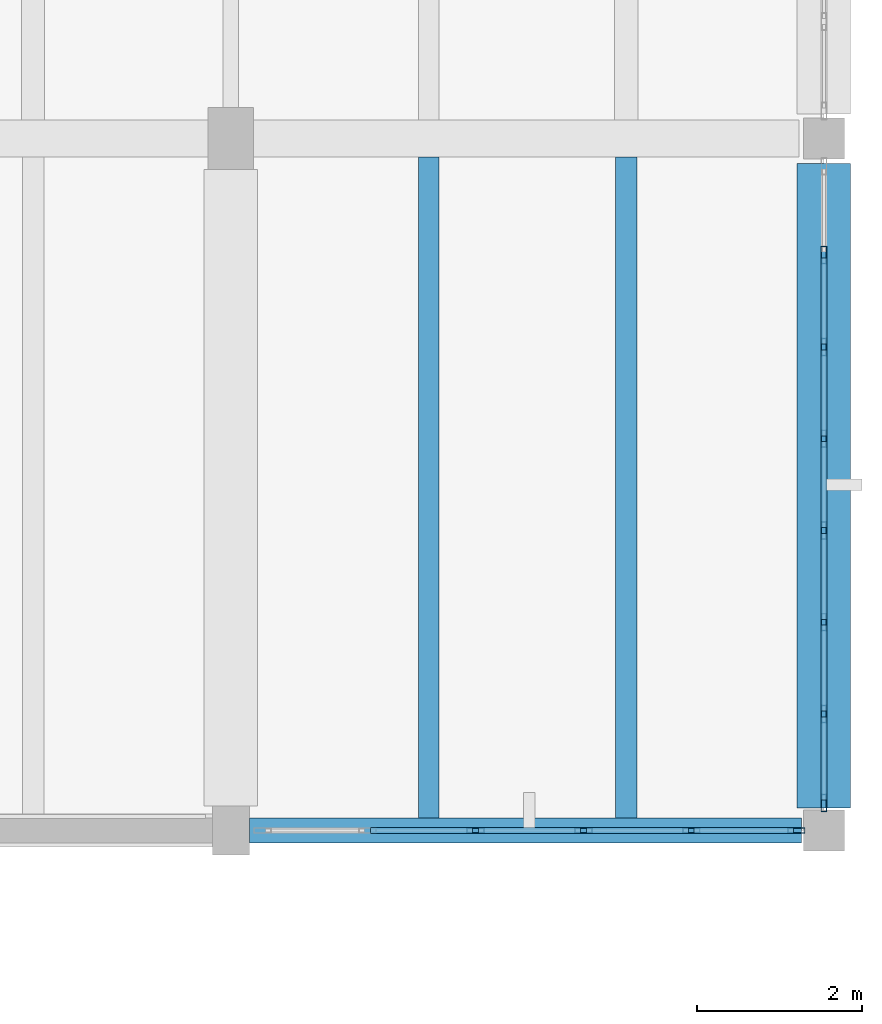
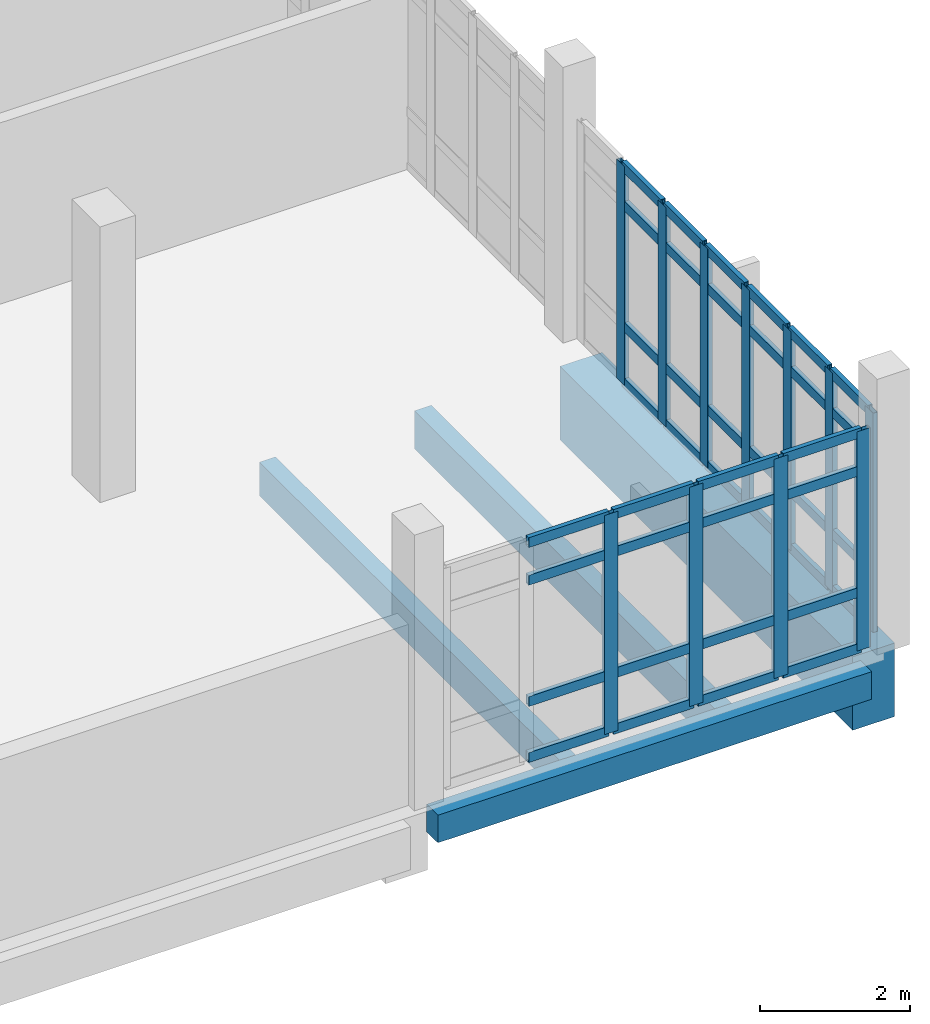
# One storey, part 34 of 57: 51 members, 4 beams, 2 elements without a shape of their own.
"""IFC4 building model written with IfcOpenShell, lengths in metres."""

from ifc_helpers import new_model, si_unit, direction, frame, origin, origin_2d, place, context, subcontext, project, spatial, rectangle, hollow_rectangle, extrude, material, material_profile, profile_set, type_object, element, aggregate, save


model = new_model("IFC4")

# Units and contexts
model_context = context("Model", 3, precision=1e-05, world=origin(), true_north=direction((0.0, 1.0)))
body_context = subcontext(model_context, "Body", "Model", "MODEL_VIEW")
ifc_project = project(units=[si_unit("LENGTHUNIT", "METRE"), si_unit("AREAUNIT", "SQUARE_METRE"), si_unit("VOLUMEUNIT", "CUBIC_METRE"), si_unit("PLANEANGLEUNIT", "RADIAN"), si_unit("MASSUNIT", "GRAM", prefix="KILO")], contexts=[model_context])

# Site, building, storey
site_placement = place(None, origin())
site = spatial("IfcSite", under=ifc_project, at=site_placement, CompositionType="ELEMENT")
building_placement = place(site_placement, origin())
building = spatial("IfcBuilding", under=site, at=building_placement, Name="Kalluvel Institute of Natural Sciences", CompositionType="ELEMENT")
storey_placement = place(building_placement, frame((0.0, 0.0, 23.39990234375)))
storey = spatial("IfcBuildingStorey", under=building, at=storey_placement, Name="L05", CompositionType="ELEMENT", Elevation=23.39990234375)

# Beam
ifc_material_1 = material(Name="Concrete M50", Category="concrete")
ifc_material_profile_1 = material_profile(ifc_material_1, rectangle(XDim=0.64990234375, YDim=1.199951171875, at=origin_2d()), Name="RCB 650x1200")
ifc_profile_set_1 = profile_set([ifc_material_profile_1], Name="Concrete M50")
beam_type_1 = type_object("IfcBeamType", Name="BM-RC650x1200", PredefinedType="BEAM", material=ifc_profile_set_1)
beam_1_placement = place(storey_placement, frame((114.800048828125, 103.074951171875, -0.919921875), z_axis=(0.0, 1.0, 0.0), x_axis=(-1.0, 0.0, 0.0)))
element("IfcBeam", 1, at=beam_1_placement, inside=storey, type_object=beam_type_1, Name="L05 girder GIR-L05-NS-X1148-Y1028", PredefinedType="BEAM", context=body_context, shape_type="SweptSolid", body=[
    extrude(rectangle(XDim=0.64990234375, YDim=1.199951171875, at=origin_2d()), origin(), (0.0, 0.0, 1.0), 7.824951171875),
])

# Curtain wall, members
ifc_material_2 = material(Name="Aluminium AW-6063 T6", Category="aluminium")
curtain_wall_type = type_object("IfcCurtainWallType", Name="CW-WET-45", PredefinedType="USERDEFINED", material=ifc_material_2)
curtain_wall_1_placement = place(storey_placement, origin())
curtain_wall_1 = element("IfcCurtainWall", 2, at=curtain_wall_1_placement, inside=storey, type_object=curtain_wall_type, Name="L05 Gothic lancet curtain wall CWA-L05-X1080-Y1028", ObjectType="UNITISED LANCET FACADE", PredefinedType="USERDEFINED")
ifc_material_profile_2 = material_profile(ifc_material_2, hollow_rectangle(XDim=0.070068359375, YDim=0.2099609375, WallThickness=0.0048828125, at=origin_2d()), Name="CWM 70x210")
ifc_profile_set_2 = profile_set([ifc_material_profile_2], Name="Aluminium AW-6063 T6")
member_type_1 = type_object("IfcMemberType", Name="CWM-70x210", PredefinedType="MULLION", material=ifc_profile_set_2)
member_1_placement = place(storey_placement, frame((110.570068359375, 102.800048828125, 0.0), z_axis=(0.0, 0.0, 1.0), x_axis=(0.0, 1.0, 0.0)))
member_1 = element("IfcMember", 3, at=member_1_placement, type_object=member_type_1, Name="CW-01 mullion 3", PredefinedType="MULLION", context=body_context, shape_type="SweptSolid", body=[
    extrude(hollow_rectangle(XDim=0.070068359375, YDim=0.2099609375, WallThickness=0.0048828125, at=origin_2d()), origin(), (0.0, 0.0, 1.0), 3.580078125),
])
member_2_placement = place(storey_placement, frame((111.8798828125, 102.800048828125, 0.0), z_axis=(0.0, 0.0, 1.0), x_axis=(0.0, 1.0, 0.0)))
member_2 = element("IfcMember", 4, at=member_2_placement, type_object=member_type_1, Name="CW-01 mullion 4", PredefinedType="MULLION", context=body_context, shape_type="SweptSolid", body=[
    extrude(hollow_rectangle(XDim=0.070068359375, YDim=0.2099609375, WallThickness=0.0048828125, at=origin_2d()), origin(), (0.0, 0.0, 1.0), 3.580078125),
])
member_3_placement = place(storey_placement, frame((113.18994140625, 102.800048828125, 0.0), z_axis=(0.0, 0.0, 1.0), x_axis=(0.0, 1.0, 0.0)))
member_3 = element("IfcMember", 5, at=member_3_placement, type_object=member_type_1, Name="CW-01 mullion 5", PredefinedType="MULLION", context=body_context, shape_type="SweptSolid", body=[
    extrude(hollow_rectangle(XDim=0.070068359375, YDim=0.2099609375, WallThickness=0.0048828125, at=origin_2d()), origin(), (0.0, 0.0, 1.0), 3.580078125),
])
member_4_placement = place(storey_placement, frame((114.465087890625, 102.800048828125, 0.0), z_axis=(0.0, 0.0, 1.0), x_axis=(0.0, 1.0, 0.0)))
member_4 = element("IfcMember", 6, at=member_4_placement, type_object=member_type_1, Name="CW-01 mullion 6", PredefinedType="MULLION", context=body_context, shape_type="SweptSolid", body=[
    extrude(hollow_rectangle(XDim=0.070068359375, YDim=0.2099609375, WallThickness=0.0048828125, at=origin_2d()), origin(), (0.0, 0.0, 1.0), 3.580078125),
])

curtain_wall_2_placement = place(storey_placement, origin())
curtain_wall_2 = element("IfcCurtainWall", 7, at=curtain_wall_2_placement, inside=storey, type_object=curtain_wall_type, Name="L05 Gothic lancet curtain wall CWA-L05-X1148-Y1031", ObjectType="UNITISED LANCET FACADE", PredefinedType="USERDEFINED")
member_5_placement = place(storey_placement, frame((114.800048828125, 103.135009765625, 0.0), z_axis=(0.0, 0.0, 1.0), x_axis=(-1.0, 0.0, 0.0)))
member_5 = element("IfcMember", 8, at=member_5_placement, type_object=member_type_1, Name="CW-01 mullion 1", PredefinedType="MULLION", context=body_context, shape_type="SweptSolid", body=[
    extrude(hollow_rectangle(XDim=0.070068359375, YDim=0.2099609375, WallThickness=0.0048828125, at=origin_2d()), origin(), (0.0, 0.0, 1.0), 3.580078125),
])
member_6_placement = place(storey_placement, frame((114.800048828125, 104.21435546875, 0.0), z_axis=(0.0, 0.0, 1.0), x_axis=(-1.0, 0.0, 0.0)))
member_6 = element("IfcMember", 9, at=member_6_placement, type_object=member_type_1, Name="CW-01 mullion 2", PredefinedType="MULLION", context=body_context, shape_type="SweptSolid", body=[
    extrude(hollow_rectangle(XDim=0.070068359375, YDim=0.2099609375, WallThickness=0.0048828125, at=origin_2d()), origin(), (0.0, 0.0, 1.0), 3.580078125),
])
member_7_placement = place(storey_placement, frame((114.800048828125, 105.32861328125, 0.0), z_axis=(0.0, 0.0, 1.0), x_axis=(-1.0, 0.0, 0.0)))
member_7 = element("IfcMember", 10, at=member_7_placement, type_object=member_type_1, Name="CW-01 mullion 3", PredefinedType="MULLION", context=body_context, shape_type="SweptSolid", body=[
    extrude(hollow_rectangle(XDim=0.070068359375, YDim=0.2099609375, WallThickness=0.0048828125, at=origin_2d()), origin(), (0.0, 0.0, 1.0), 3.580078125),
])
member_8_placement = place(storey_placement, frame((114.800048828125, 106.44287109375, 0.0), z_axis=(0.0, 0.0, 1.0), x_axis=(-1.0, 0.0, 0.0)))
member_8 = element("IfcMember", 11, at=member_8_placement, type_object=member_type_1, Name="CW-01 mullion 4", PredefinedType="MULLION", context=body_context, shape_type="SweptSolid", body=[
    extrude(hollow_rectangle(XDim=0.070068359375, YDim=0.2099609375, WallThickness=0.0048828125, at=origin_2d()), origin(), (0.0, 0.0, 1.0), 3.580078125),
])
member_9_placement = place(storey_placement, frame((114.800048828125, 107.55712890625, 0.0), z_axis=(0.0, 0.0, 1.0), x_axis=(-1.0, 0.0, 0.0)))
member_9 = element("IfcMember", 12, at=member_9_placement, type_object=member_type_1, Name="CW-01 mullion 5", PredefinedType="MULLION", context=body_context, shape_type="SweptSolid", body=[
    extrude(hollow_rectangle(XDim=0.070068359375, YDim=0.2099609375, WallThickness=0.0048828125, at=origin_2d()), origin(), (0.0, 0.0, 1.0), 3.580078125),
])
member_10_placement = place(storey_placement, frame((114.800048828125, 108.67138671875, 0.0), z_axis=(0.0, 0.0, 1.0), x_axis=(-1.0, 0.0, 0.0)))
member_10 = element("IfcMember", 13, at=member_10_placement, type_object=member_type_1, Name="CW-01 mullion 6", PredefinedType="MULLION", context=body_context, shape_type="SweptSolid", body=[
    extrude(hollow_rectangle(XDim=0.070068359375, YDim=0.2099609375, WallThickness=0.0048828125, at=origin_2d()), origin(), (0.0, 0.0, 1.0), 3.580078125),
])
member_11_placement = place(storey_placement, frame((114.800048828125, 109.78564453125, 0.0), z_axis=(0.0, 0.0, 1.0), x_axis=(-1.0, 0.0, 0.0)))
member_11 = element("IfcMember", 14, at=member_11_placement, type_object=member_type_1, Name="CW-01 mullion 7", PredefinedType="MULLION", context=body_context, shape_type="SweptSolid", body=[
    extrude(hollow_rectangle(XDim=0.070068359375, YDim=0.2099609375, WallThickness=0.0048828125, at=origin_2d()), origin(), (0.0, 0.0, 1.0), 3.580078125),
])

# Member
ifc_material_profile_3 = material_profile(ifc_material_2, hollow_rectangle(XDim=0.070068359375, YDim=0.159912109375, WallThickness=0.0048828125, at=origin_2d()), Name="CWT 70x160")
ifc_profile_set_3 = profile_set([ifc_material_profile_3], Name="Aluminium AW-6063 T6")
member_type_2 = type_object("IfcMemberType", Name="CWT-70x160", PredefinedType="USERDEFINED", material=ifc_profile_set_3)
member_12_placement = place(storey_placement, frame((109.294921875, 102.800048828125, 0.03515625), z_axis=(1.0, 0.0, 0.0), x_axis=(0.0, 1.0, 0.0)))
member_12 = element("IfcMember", 15, at=member_12_placement, type_object=member_type_2, Name="CW-01 transom 2.1", ObjectType="TRANSOM", PredefinedType="USERDEFINED", context=body_context, shape_type="SweptSolid", body=[
    extrude(hollow_rectangle(XDim=0.070068359375, YDim=0.159912109375, WallThickness=0.0048828125, at=origin_2d()), origin(), (0.0, 0.0, 1.0), 1.239990234375),
])

member_13_placement = place(storey_placement, frame((109.294921875, 102.800048828125, 0.9501953125), z_axis=(1.0, 0.0, 0.0), x_axis=(0.0, 1.0, 0.0)))
member_13 = element("IfcMember", 16, at=member_13_placement, type_object=member_type_2, Name="CW-01 transom 2.2", ObjectType="TRANSOM", PredefinedType="USERDEFINED", context=body_context, shape_type="SweptSolid", body=[
    extrude(hollow_rectangle(XDim=0.070068359375, YDim=0.159912109375, WallThickness=0.0048828125, at=origin_2d()), origin(), (0.0, 0.0, 1.0), 1.239990234375),
])

member_14_placement = place(storey_placement, frame((109.294921875, 102.800048828125, 2.93017578125), z_axis=(1.0, 0.0, 0.0), x_axis=(0.0, 1.0, 0.0)))
member_14 = element("IfcMember", 17, at=member_14_placement, type_object=member_type_2, Name="CW-01 transom 2.3", ObjectType="TRANSOM", PredefinedType="USERDEFINED", context=body_context, shape_type="SweptSolid", body=[
    extrude(hollow_rectangle(XDim=0.070068359375, YDim=0.159912109375, WallThickness=0.0048828125, at=origin_2d()), origin(), (0.0, 0.0, 1.0), 1.239990234375),
])

member_15_placement = place(storey_placement, frame((109.294921875, 102.800048828125, 3.545166015625), z_axis=(1.0, 0.0, 0.0), x_axis=(0.0, 1.0, 0.0)))
member_15 = element("IfcMember", 18, at=member_15_placement, type_object=member_type_2, Name="CW-01 transom 2.4", ObjectType="TRANSOM", PredefinedType="USERDEFINED", context=body_context, shape_type="SweptSolid", body=[
    extrude(hollow_rectangle(XDim=0.070068359375, YDim=0.159912109375, WallThickness=0.0048828125, at=origin_2d()), origin(), (0.0, 0.0, 1.0), 1.239990234375),
])

member_16_placement = place(storey_placement, frame((110.60498046875, 102.800048828125, 0.03515625), z_axis=(1.0, 0.0, 0.0), x_axis=(0.0, 1.0, 0.0)))
member_16 = element("IfcMember", 19, at=member_16_placement, type_object=member_type_2, Name="CW-01 transom 3.1", ObjectType="TRANSOM", PredefinedType="USERDEFINED", context=body_context, shape_type="SweptSolid", body=[
    extrude(hollow_rectangle(XDim=0.070068359375, YDim=0.159912109375, WallThickness=0.0048828125, at=origin_2d()), origin(), (0.0, 0.0, 1.0), 1.239990234375),
])

member_17_placement = place(storey_placement, frame((110.60498046875, 102.800048828125, 0.9501953125), z_axis=(1.0, 0.0, 0.0), x_axis=(0.0, 1.0, 0.0)))
member_17 = element("IfcMember", 20, at=member_17_placement, type_object=member_type_2, Name="CW-01 transom 3.2", ObjectType="TRANSOM", PredefinedType="USERDEFINED", context=body_context, shape_type="SweptSolid", body=[
    extrude(hollow_rectangle(XDim=0.070068359375, YDim=0.159912109375, WallThickness=0.0048828125, at=origin_2d()), origin(), (0.0, 0.0, 1.0), 1.239990234375),
])

member_18_placement = place(storey_placement, frame((110.60498046875, 102.800048828125, 2.93017578125), z_axis=(1.0, 0.0, 0.0), x_axis=(0.0, 1.0, 0.0)))
member_18 = element("IfcMember", 21, at=member_18_placement, type_object=member_type_2, Name="CW-01 transom 3.3", ObjectType="TRANSOM", PredefinedType="USERDEFINED", context=body_context, shape_type="SweptSolid", body=[
    extrude(hollow_rectangle(XDim=0.070068359375, YDim=0.159912109375, WallThickness=0.0048828125, at=origin_2d()), origin(), (0.0, 0.0, 1.0), 1.239990234375),
])

member_19_placement = place(storey_placement, frame((110.60498046875, 102.800048828125, 3.545166015625), z_axis=(1.0, 0.0, 0.0), x_axis=(0.0, 1.0, 0.0)))
member_19 = element("IfcMember", 22, at=member_19_placement, type_object=member_type_2, Name="CW-01 transom 3.4", ObjectType="TRANSOM", PredefinedType="USERDEFINED", context=body_context, shape_type="SweptSolid", body=[
    extrude(hollow_rectangle(XDim=0.070068359375, YDim=0.159912109375, WallThickness=0.0048828125, at=origin_2d()), origin(), (0.0, 0.0, 1.0), 1.239990234375),
])

member_20_placement = place(storey_placement, frame((111.9150390625, 102.800048828125, 0.03515625), z_axis=(1.0, 0.0, 0.0), x_axis=(0.0, 1.0, 0.0)))
member_20 = element("IfcMember", 23, at=member_20_placement, type_object=member_type_2, Name="CW-01 transom 4.1", ObjectType="TRANSOM", PredefinedType="USERDEFINED", context=body_context, shape_type="SweptSolid", body=[
    extrude(hollow_rectangle(XDim=0.070068359375, YDim=0.159912109375, WallThickness=0.0048828125, at=origin_2d()), origin(), (0.0, 0.0, 1.0), 1.239990234375),
])

member_21_placement = place(storey_placement, frame((111.9150390625, 102.800048828125, 0.9501953125), z_axis=(1.0, 0.0, 0.0), x_axis=(0.0, 1.0, 0.0)))
member_21 = element("IfcMember", 24, at=member_21_placement, type_object=member_type_2, Name="CW-01 transom 4.2", ObjectType="TRANSOM", PredefinedType="USERDEFINED", context=body_context, shape_type="SweptSolid", body=[
    extrude(hollow_rectangle(XDim=0.070068359375, YDim=0.159912109375, WallThickness=0.0048828125, at=origin_2d()), origin(), (0.0, 0.0, 1.0), 1.239990234375),
])

member_22_placement = place(storey_placement, frame((111.9150390625, 102.800048828125, 2.93017578125), z_axis=(1.0, 0.0, 0.0), x_axis=(0.0, 1.0, 0.0)))
member_22 = element("IfcMember", 25, at=member_22_placement, type_object=member_type_2, Name="CW-01 transom 4.3", ObjectType="TRANSOM", PredefinedType="USERDEFINED", context=body_context, shape_type="SweptSolid", body=[
    extrude(hollow_rectangle(XDim=0.070068359375, YDim=0.159912109375, WallThickness=0.0048828125, at=origin_2d()), origin(), (0.0, 0.0, 1.0), 1.239990234375),
])

member_23_placement = place(storey_placement, frame((111.9150390625, 102.800048828125, 3.545166015625), z_axis=(1.0, 0.0, 0.0), x_axis=(0.0, 1.0, 0.0)))
member_23 = element("IfcMember", 26, at=member_23_placement, type_object=member_type_2, Name="CW-01 transom 4.4", ObjectType="TRANSOM", PredefinedType="USERDEFINED", context=body_context, shape_type="SweptSolid", body=[
    extrude(hollow_rectangle(XDim=0.070068359375, YDim=0.159912109375, WallThickness=0.0048828125, at=origin_2d()), origin(), (0.0, 0.0, 1.0), 1.239990234375),
])

member_24_placement = place(storey_placement, frame((113.22509765625, 102.800048828125, 0.03515625), z_axis=(1.0, 0.0, 0.0), x_axis=(0.0, 1.0, 0.0)))
member_24 = element("IfcMember", 27, at=member_24_placement, type_object=member_type_2, Name="CW-01 transom 5.1", ObjectType="TRANSOM", PredefinedType="USERDEFINED", context=body_context, shape_type="SweptSolid", body=[
    extrude(hollow_rectangle(XDim=0.070068359375, YDim=0.159912109375, WallThickness=0.0048828125, at=origin_2d()), origin(), (0.0, 0.0, 1.0), 1.204833984375),
])

member_25_placement = place(storey_placement, frame((113.22509765625, 102.800048828125, 0.9501953125), z_axis=(1.0, 0.0, 0.0), x_axis=(0.0, 1.0, 0.0)))
member_25 = element("IfcMember", 28, at=member_25_placement, type_object=member_type_2, Name="CW-01 transom 5.2", ObjectType="TRANSOM", PredefinedType="USERDEFINED", context=body_context, shape_type="SweptSolid", body=[
    extrude(hollow_rectangle(XDim=0.070068359375, YDim=0.159912109375, WallThickness=0.0048828125, at=origin_2d()), origin(), (0.0, 0.0, 1.0), 1.204833984375),
])

member_26_placement = place(storey_placement, frame((113.22509765625, 102.800048828125, 2.93017578125), z_axis=(1.0, 0.0, 0.0), x_axis=(0.0, 1.0, 0.0)))
member_26 = element("IfcMember", 29, at=member_26_placement, type_object=member_type_2, Name="CW-01 transom 5.3", ObjectType="TRANSOM", PredefinedType="USERDEFINED", context=body_context, shape_type="SweptSolid", body=[
    extrude(hollow_rectangle(XDim=0.070068359375, YDim=0.159912109375, WallThickness=0.0048828125, at=origin_2d()), origin(), (0.0, 0.0, 1.0), 1.204833984375),
])

member_27_placement = place(storey_placement, frame((113.22509765625, 102.800048828125, 3.545166015625), z_axis=(1.0, 0.0, 0.0), x_axis=(0.0, 1.0, 0.0)))
member_27 = element("IfcMember", 30, at=member_27_placement, type_object=member_type_2, Name="CW-01 transom 5.4", ObjectType="TRANSOM", PredefinedType="USERDEFINED", context=body_context, shape_type="SweptSolid", body=[
    extrude(hollow_rectangle(XDim=0.070068359375, YDim=0.159912109375, WallThickness=0.0048828125, at=origin_2d()), origin(), (0.0, 0.0, 1.0), 1.204833984375),
])

aggregate(curtain_wall_1, [member_1, member_2, member_3, member_4, member_12, member_13, member_14, member_15, member_16, member_17, member_18, member_19, member_20, member_21, member_22, member_23, member_24, member_25, member_26, member_27])

member_28_placement = place(storey_placement, frame((114.800048828125, 103.169921875, 0.03515625), z_axis=(0.0, 1.0, 0.0), x_axis=(-1.0, 0.0, 0.0)))
member_28 = element("IfcMember", 31, at=member_28_placement, type_object=member_type_2, Name="CW-01 transom 1.1", ObjectType="TRANSOM", PredefinedType="USERDEFINED", context=body_context, shape_type="SweptSolid", body=[
    extrude(hollow_rectangle(XDim=0.070068359375, YDim=0.159912109375, WallThickness=0.0048828125, at=origin_2d()), origin(), (0.0, 0.0, 1.0), 1.00927734375),
])

member_29_placement = place(storey_placement, frame((114.800048828125, 103.169921875, 0.9501953125), z_axis=(0.0, 1.0, 0.0), x_axis=(-1.0, 0.0, 0.0)))
member_29 = element("IfcMember", 32, at=member_29_placement, type_object=member_type_2, Name="CW-01 transom 1.2", ObjectType="TRANSOM", PredefinedType="USERDEFINED", context=body_context, shape_type="SweptSolid", body=[
    extrude(hollow_rectangle(XDim=0.070068359375, YDim=0.159912109375, WallThickness=0.0048828125, at=origin_2d()), origin(), (0.0, 0.0, 1.0), 1.00927734375),
])

member_30_placement = place(storey_placement, frame((114.800048828125, 103.169921875, 2.93017578125), z_axis=(0.0, 1.0, 0.0), x_axis=(-1.0, 0.0, 0.0)))
member_30 = element("IfcMember", 33, at=member_30_placement, type_object=member_type_2, Name="CW-01 transom 1.3", ObjectType="TRANSOM", PredefinedType="USERDEFINED", context=body_context, shape_type="SweptSolid", body=[
    extrude(hollow_rectangle(XDim=0.070068359375, YDim=0.159912109375, WallThickness=0.0048828125, at=origin_2d()), origin(), (0.0, 0.0, 1.0), 1.00927734375),
])

member_31_placement = place(storey_placement, frame((114.800048828125, 103.169921875, 3.545166015625), z_axis=(0.0, 1.0, 0.0), x_axis=(-1.0, 0.0, 0.0)))
member_31 = element("IfcMember", 34, at=member_31_placement, type_object=member_type_2, Name="CW-01 transom 1.4", ObjectType="TRANSOM", PredefinedType="USERDEFINED", context=body_context, shape_type="SweptSolid", body=[
    extrude(hollow_rectangle(XDim=0.070068359375, YDim=0.159912109375, WallThickness=0.0048828125, at=origin_2d()), origin(), (0.0, 0.0, 1.0), 1.00927734375),
])

member_32_placement = place(storey_placement, frame((114.800048828125, 104.249267578125, 0.03515625), z_axis=(0.0, 1.0, 0.0), x_axis=(-1.0, 0.0, 0.0)))
member_32 = element("IfcMember", 35, at=member_32_placement, type_object=member_type_2, Name="CW-01 transom 2.1", ObjectType="TRANSOM", PredefinedType="USERDEFINED", context=body_context, shape_type="SweptSolid", body=[
    extrude(hollow_rectangle(XDim=0.070068359375, YDim=0.159912109375, WallThickness=0.0048828125, at=origin_2d()), origin(), (0.0, 0.0, 1.0), 1.044189453125),
])

member_33_placement = place(storey_placement, frame((114.800048828125, 104.249267578125, 0.9501953125), z_axis=(0.0, 1.0, 0.0), x_axis=(-1.0, 0.0, 0.0)))
member_33 = element("IfcMember", 36, at=member_33_placement, type_object=member_type_2, Name="CW-01 transom 2.2", ObjectType="TRANSOM", PredefinedType="USERDEFINED", context=body_context, shape_type="SweptSolid", body=[
    extrude(hollow_rectangle(XDim=0.070068359375, YDim=0.159912109375, WallThickness=0.0048828125, at=origin_2d()), origin(), (0.0, 0.0, 1.0), 1.044189453125),
])

member_34_placement = place(storey_placement, frame((114.800048828125, 104.249267578125, 2.93017578125), z_axis=(0.0, 1.0, 0.0), x_axis=(-1.0, 0.0, 0.0)))
member_34 = element("IfcMember", 37, at=member_34_placement, type_object=member_type_2, Name="CW-01 transom 2.3", ObjectType="TRANSOM", PredefinedType="USERDEFINED", context=body_context, shape_type="SweptSolid", body=[
    extrude(hollow_rectangle(XDim=0.070068359375, YDim=0.159912109375, WallThickness=0.0048828125, at=origin_2d()), origin(), (0.0, 0.0, 1.0), 1.044189453125),
])

member_35_placement = place(storey_placement, frame((114.800048828125, 104.249267578125, 3.545166015625), z_axis=(0.0, 1.0, 0.0), x_axis=(-1.0, 0.0, 0.0)))
member_35 = element("IfcMember", 38, at=member_35_placement, type_object=member_type_2, Name="CW-01 transom 2.4", ObjectType="TRANSOM", PredefinedType="USERDEFINED", context=body_context, shape_type="SweptSolid", body=[
    extrude(hollow_rectangle(XDim=0.070068359375, YDim=0.159912109375, WallThickness=0.0048828125, at=origin_2d()), origin(), (0.0, 0.0, 1.0), 1.044189453125),
])

member_36_placement = place(storey_placement, frame((114.800048828125, 105.363525390625, 0.03515625), z_axis=(0.0, 1.0, 0.0), x_axis=(-1.0, 0.0, 0.0)))
member_36 = element("IfcMember", 39, at=member_36_placement, type_object=member_type_2, Name="CW-01 transom 3.1", ObjectType="TRANSOM", PredefinedType="USERDEFINED", context=body_context, shape_type="SweptSolid", body=[
    extrude(hollow_rectangle(XDim=0.070068359375, YDim=0.159912109375, WallThickness=0.0048828125, at=origin_2d()), origin(), (0.0, 0.0, 1.0), 1.04443359375),
])

member_37_placement = place(storey_placement, frame((114.800048828125, 105.363525390625, 0.9501953125), z_axis=(0.0, 1.0, 0.0), x_axis=(-1.0, 0.0, 0.0)))
member_37 = element("IfcMember", 40, at=member_37_placement, type_object=member_type_2, Name="CW-01 transom 3.2", ObjectType="TRANSOM", PredefinedType="USERDEFINED", context=body_context, shape_type="SweptSolid", body=[
    extrude(hollow_rectangle(XDim=0.070068359375, YDim=0.159912109375, WallThickness=0.0048828125, at=origin_2d()), origin(), (0.0, 0.0, 1.0), 1.04443359375),
])

member_38_placement = place(storey_placement, frame((114.800048828125, 105.363525390625, 2.93017578125), z_axis=(0.0, 1.0, 0.0), x_axis=(-1.0, 0.0, 0.0)))
member_38 = element("IfcMember", 41, at=member_38_placement, type_object=member_type_2, Name="CW-01 transom 3.3", ObjectType="TRANSOM", PredefinedType="USERDEFINED", context=body_context, shape_type="SweptSolid", body=[
    extrude(hollow_rectangle(XDim=0.070068359375, YDim=0.159912109375, WallThickness=0.0048828125, at=origin_2d()), origin(), (0.0, 0.0, 1.0), 1.04443359375),
])

member_39_placement = place(storey_placement, frame((114.800048828125, 105.363525390625, 3.545166015625), z_axis=(0.0, 1.0, 0.0), x_axis=(-1.0, 0.0, 0.0)))
member_39 = element("IfcMember", 42, at=member_39_placement, type_object=member_type_2, Name="CW-01 transom 3.4", ObjectType="TRANSOM", PredefinedType="USERDEFINED", context=body_context, shape_type="SweptSolid", body=[
    extrude(hollow_rectangle(XDim=0.070068359375, YDim=0.159912109375, WallThickness=0.0048828125, at=origin_2d()), origin(), (0.0, 0.0, 1.0), 1.04443359375),
])

member_40_placement = place(storey_placement, frame((114.800048828125, 106.477783203125, 0.03515625), z_axis=(0.0, 1.0, 0.0), x_axis=(-1.0, 0.0, 0.0)))
member_40 = element("IfcMember", 43, at=member_40_placement, type_object=member_type_2, Name="CW-01 transom 4.1", ObjectType="TRANSOM", PredefinedType="USERDEFINED", context=body_context, shape_type="SweptSolid", body=[
    extrude(hollow_rectangle(XDim=0.070068359375, YDim=0.159912109375, WallThickness=0.0048828125, at=origin_2d()), origin(), (0.0, 0.0, 1.0), 1.04443359375),
])

member_41_placement = place(storey_placement, frame((114.800048828125, 106.477783203125, 0.9501953125), z_axis=(0.0, 1.0, 0.0), x_axis=(-1.0, 0.0, 0.0)))
member_41 = element("IfcMember", 44, at=member_41_placement, type_object=member_type_2, Name="CW-01 transom 4.2", ObjectType="TRANSOM", PredefinedType="USERDEFINED", context=body_context, shape_type="SweptSolid", body=[
    extrude(hollow_rectangle(XDim=0.070068359375, YDim=0.159912109375, WallThickness=0.0048828125, at=origin_2d()), origin(), (0.0, 0.0, 1.0), 1.04443359375),
])

member_42_placement = place(storey_placement, frame((114.800048828125, 106.477783203125, 2.93017578125), z_axis=(0.0, 1.0, 0.0), x_axis=(-1.0, 0.0, 0.0)))
member_42 = element("IfcMember", 45, at=member_42_placement, type_object=member_type_2, Name="CW-01 transom 4.3", ObjectType="TRANSOM", PredefinedType="USERDEFINED", context=body_context, shape_type="SweptSolid", body=[
    extrude(hollow_rectangle(XDim=0.070068359375, YDim=0.159912109375, WallThickness=0.0048828125, at=origin_2d()), origin(), (0.0, 0.0, 1.0), 1.04443359375),
])

member_43_placement = place(storey_placement, frame((114.800048828125, 106.477783203125, 3.545166015625), z_axis=(0.0, 1.0, 0.0), x_axis=(-1.0, 0.0, 0.0)))
member_43 = element("IfcMember", 46, at=member_43_placement, type_object=member_type_2, Name="CW-01 transom 4.4", ObjectType="TRANSOM", PredefinedType="USERDEFINED", context=body_context, shape_type="SweptSolid", body=[
    extrude(hollow_rectangle(XDim=0.070068359375, YDim=0.159912109375, WallThickness=0.0048828125, at=origin_2d()), origin(), (0.0, 0.0, 1.0), 1.04443359375),
])

member_44_placement = place(storey_placement, frame((114.800048828125, 107.592041015625, 0.03515625), z_axis=(0.0, 1.0, 0.0), x_axis=(-1.0, 0.0, 0.0)))
member_44 = element("IfcMember", 47, at=member_44_placement, type_object=member_type_2, Name="CW-01 transom 5.1", ObjectType="TRANSOM", PredefinedType="USERDEFINED", context=body_context, shape_type="SweptSolid", body=[
    extrude(hollow_rectangle(XDim=0.070068359375, YDim=0.159912109375, WallThickness=0.0048828125, at=origin_2d()), origin(), (0.0, 0.0, 1.0), 1.04443359375),
])

member_45_placement = place(storey_placement, frame((114.800048828125, 107.592041015625, 0.9501953125), z_axis=(0.0, 1.0, 0.0), x_axis=(-1.0, 0.0, 0.0)))
member_45 = element("IfcMember", 48, at=member_45_placement, type_object=member_type_2, Name="CW-01 transom 5.2", ObjectType="TRANSOM", PredefinedType="USERDEFINED", context=body_context, shape_type="SweptSolid", body=[
    extrude(hollow_rectangle(XDim=0.070068359375, YDim=0.159912109375, WallThickness=0.0048828125, at=origin_2d()), origin(), (0.0, 0.0, 1.0), 1.04443359375),
])

member_46_placement = place(storey_placement, frame((114.800048828125, 107.592041015625, 2.93017578125), z_axis=(0.0, 1.0, 0.0), x_axis=(-1.0, 0.0, 0.0)))
member_46 = element("IfcMember", 49, at=member_46_placement, type_object=member_type_2, Name="CW-01 transom 5.3", ObjectType="TRANSOM", PredefinedType="USERDEFINED", context=body_context, shape_type="SweptSolid", body=[
    extrude(hollow_rectangle(XDim=0.070068359375, YDim=0.159912109375, WallThickness=0.0048828125, at=origin_2d()), origin(), (0.0, 0.0, 1.0), 1.04443359375),
])

member_47_placement = place(storey_placement, frame((114.800048828125, 107.592041015625, 3.545166015625), z_axis=(0.0, 1.0, 0.0), x_axis=(-1.0, 0.0, 0.0)))
member_47 = element("IfcMember", 50, at=member_47_placement, type_object=member_type_2, Name="CW-01 transom 5.4", ObjectType="TRANSOM", PredefinedType="USERDEFINED", context=body_context, shape_type="SweptSolid", body=[
    extrude(hollow_rectangle(XDim=0.070068359375, YDim=0.159912109375, WallThickness=0.0048828125, at=origin_2d()), origin(), (0.0, 0.0, 1.0), 1.04443359375),
])

member_48_placement = place(storey_placement, frame((114.800048828125, 108.70654296875, 0.03515625), z_axis=(0.0, 1.0, 0.0), x_axis=(-1.0, 0.0, 0.0)))
member_48 = element("IfcMember", 51, at=member_48_placement, type_object=member_type_2, Name="CW-01 transom 6.1", ObjectType="TRANSOM", PredefinedType="USERDEFINED", context=body_context, shape_type="SweptSolid", body=[
    extrude(hollow_rectangle(XDim=0.070068359375, YDim=0.159912109375, WallThickness=0.0048828125, at=origin_2d()), origin(), (0.0, 0.0, 1.0), 1.044189453125),
])

member_49_placement = place(storey_placement, frame((114.800048828125, 108.70654296875, 0.9501953125), z_axis=(0.0, 1.0, 0.0), x_axis=(-1.0, 0.0, 0.0)))
member_49 = element("IfcMember", 52, at=member_49_placement, type_object=member_type_2, Name="CW-01 transom 6.2", ObjectType="TRANSOM", PredefinedType="USERDEFINED", context=body_context, shape_type="SweptSolid", body=[
    extrude(hollow_rectangle(XDim=0.070068359375, YDim=0.159912109375, WallThickness=0.0048828125, at=origin_2d()), origin(), (0.0, 0.0, 1.0), 1.044189453125),
])

member_50_placement = place(storey_placement, frame((114.800048828125, 108.70654296875, 2.93017578125), z_axis=(0.0, 1.0, 0.0), x_axis=(-1.0, 0.0, 0.0)))
member_50 = element("IfcMember", 53, at=member_50_placement, type_object=member_type_2, Name="CW-01 transom 6.3", ObjectType="TRANSOM", PredefinedType="USERDEFINED", context=body_context, shape_type="SweptSolid", body=[
    extrude(hollow_rectangle(XDim=0.070068359375, YDim=0.159912109375, WallThickness=0.0048828125, at=origin_2d()), origin(), (0.0, 0.0, 1.0), 1.044189453125),
])

member_51_placement = place(storey_placement, frame((114.800048828125, 108.70654296875, 3.545166015625), z_axis=(0.0, 1.0, 0.0), x_axis=(-1.0, 0.0, 0.0)))
member_51 = element("IfcMember", 54, at=member_51_placement, type_object=member_type_2, Name="CW-01 transom 6.4", ObjectType="TRANSOM", PredefinedType="USERDEFINED", context=body_context, shape_type="SweptSolid", body=[
    extrude(hollow_rectangle(XDim=0.070068359375, YDim=0.159912109375, WallThickness=0.0048828125, at=origin_2d()), origin(), (0.0, 0.0, 1.0), 1.044189453125),
])

aggregate(curtain_wall_2, [member_5, member_6, member_7, member_8, member_9, member_10, member_11, member_28, member_29, member_30, member_31, member_32, member_33, member_34, member_35, member_36, member_37, member_38, member_39, member_40, member_41, member_42, member_43, member_44, member_45, member_46, member_47, member_48, member_49, member_50, member_51])

# Beams
ifc_material_3 = material(Name="Concrete M40", Category="concrete")
ifc_material_profile_4 = material_profile(ifc_material_3, rectangle(XDim=0.300048828125, YDim=0.449951171875, at=origin_2d()), Name="RCB 300x450")
ifc_profile_set_4 = profile_set([ifc_material_profile_4], Name="Concrete M40")
beam_type_2 = type_object("IfcBeamType", Name="SP-RC300x450", PredefinedType="SPANDREL", material=ifc_profile_set_4)
beam_2_placement = place(storey_placement, frame((107.824951171875, 102.800048828125, -0.544921875), z_axis=(1.0, 0.0, 0.0), x_axis=(0.0, 1.0, 0.0)))
element("IfcBeam", 55, at=beam_2_placement, inside=storey, type_object=beam_type_2, Name="L05 girder GIR-L05-EW-X1076-Y1028", PredefinedType="SPANDREL", context=body_context, shape_type="SweptSolid", body=[
    extrude(rectangle(XDim=0.300048828125, YDim=0.449951171875, at=origin_2d()), origin(), (0.0, 0.0, 1.0), 6.699951171875),
])
ifc_material_profile_5 = material_profile(ifc_material_3, rectangle(XDim=0.25, YDim=0.550048828125, at=origin_2d()), Name="WAF 250x550")
ifc_profile_set_5 = profile_set([ifc_material_profile_5], Name="Concrete M40")
beam_type_3 = type_object("IfcBeamType", Name="WJ-250x550", PredefinedType="JOIST", material=ifc_profile_set_5)
beam_3_placement = place(storey_placement, frame((110.0, 102.949951171875, -0.594970703125), z_axis=(0.0, 1.0, 0.0), x_axis=(-1.0, 0.0, 0.0)))
element("IfcBeam", 56, at=beam_3_placement, inside=storey, type_object=beam_type_3, Name="L05 waffle joist RIB-L05-0437", PredefinedType="JOIST", context=body_context, shape_type="SweptSolid", body=[
    extrude(rectangle(XDim=0.25, YDim=0.550048828125, at=origin_2d()), origin(), (0.0, 0.0, 1.0), 8.025146484375),
])
ifc_material_profile_6 = material_profile(ifc_material_1, rectangle(XDim=0.260009765625, YDim=0.6201171875, at=origin_2d()), Name="WAF 260x620")
ifc_profile_set_6 = profile_set([ifc_material_profile_6], Name="Concrete M50")
beam_type_4 = type_object("IfcBeamType", Name="WJ-260x620", PredefinedType="JOIST", material=ifc_profile_set_6)
beam_4_placement = place(storey_placement, frame((112.39990234375, 102.949951171875, -0.6298828125), z_axis=(0.0, 1.0, 0.0), x_axis=(-1.0, 0.0, 0.0)))
element("IfcBeam", 57, at=beam_4_placement, inside=storey, type_object=beam_type_4, Name="L05 waffle joist RIB-L05-0438", PredefinedType="JOIST", context=body_context, shape_type="SweptSolid", body=[
    extrude(rectangle(XDim=0.260009765625, YDim=0.6201171875, at=origin_2d()), origin(), (0.0, 0.0, 1.0), 8.025146484375),
])

save(model, "model.ifc")
